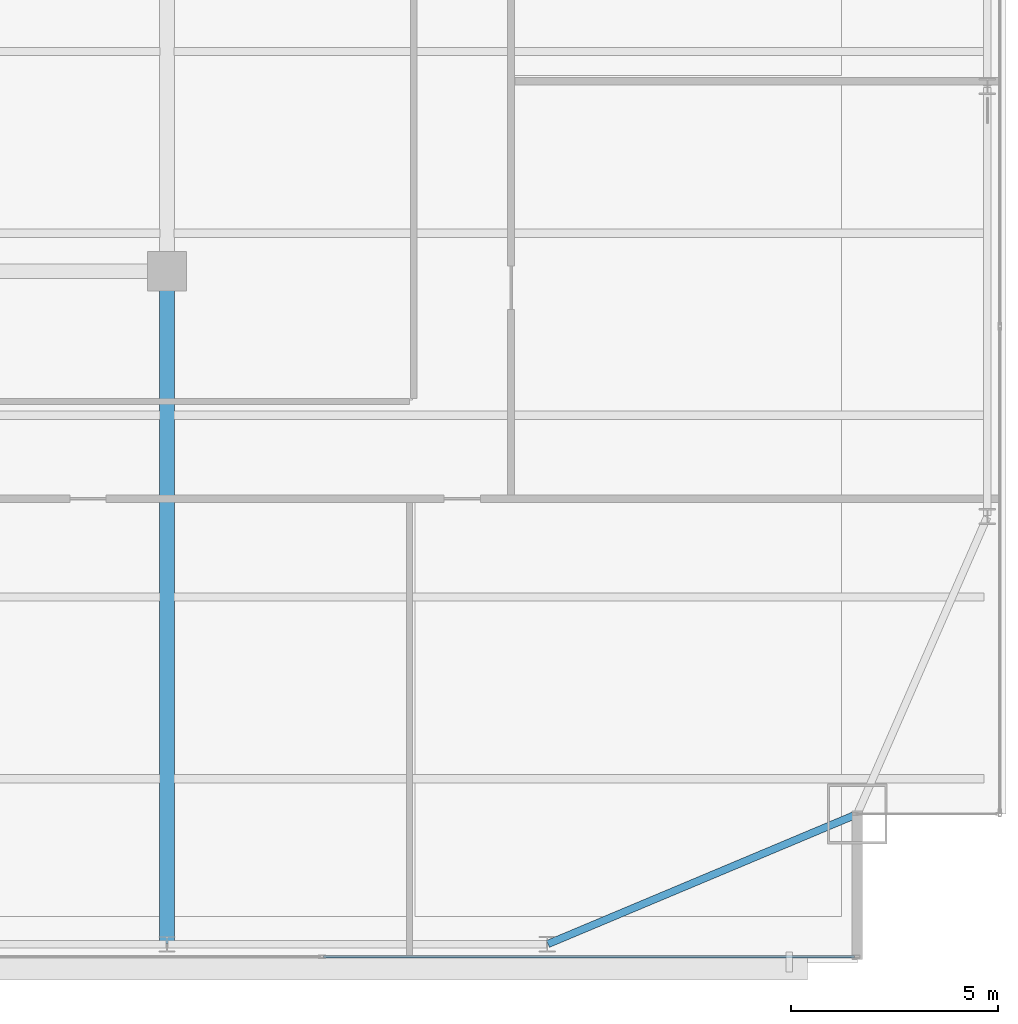
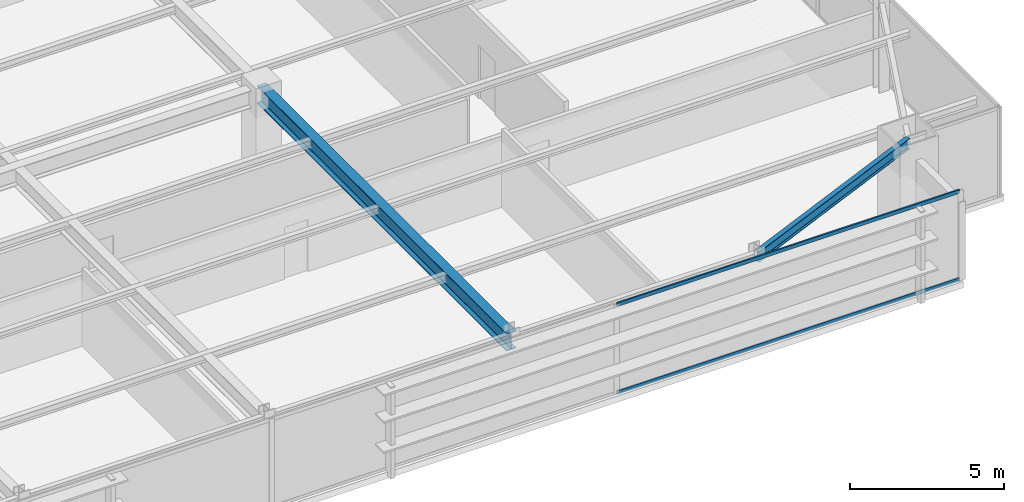
# One storey, part 13 of 33: 2 beams, 2 members, 1 element without a shape of its own.
"""IFC4 building model written with IfcOpenShell, lengths in metres."""

from ifc_helpers import new_model, si_unit, direction, frame, origin, origin_2d, place, context, subcontext, project, spatial, hollow_rectangle, i_section, extrude, source, transform, mapped, material, layer, layer_set, material_profile, profile_set, type_object, type_shapes, element, aggregate, save


model = new_model("IFC4")

# Units and contexts
model_context = context("Model", 3, precision=1e-05, world=origin(), true_north=direction((0.0, 1.0)))
body_context = subcontext(model_context, "Body", "Model", "MODEL_VIEW")
ifc_project = project(units=[si_unit("LENGTHUNIT", "METRE"), si_unit("AREAUNIT", "SQUARE_METRE"), si_unit("VOLUMEUNIT", "CUBIC_METRE"), si_unit("PLANEANGLEUNIT", "RADIAN"), si_unit("MASSUNIT", "GRAM", prefix="KILO")], contexts=[model_context])

# Site, building, storey
site_placement = place(None, origin())
site = spatial("IfcSite", under=ifc_project, at=site_placement, CompositionType="ELEMENT")
building_placement = place(site_placement, origin())
building = spatial("IfcBuilding", under=site, at=building_placement, Name="Varnel Quay Broadcast Tower", CompositionType="ELEMENT")
storey_placement = place(building_placement, frame((0.0, 0.0, 129.60009765625)))
storey = spatial("IfcBuildingStorey", under=building, at=storey_placement, Name="L31", CompositionType="ELEMENT", Elevation=129.60009765625)

# Beams
ifc_material_1 = material(Name="Structural Steel CSA G40.21 350W", Category="steel")
ifc_material_profile_1 = material_profile(ifc_material_1, i_section(OverallWidth=0.180908203125, OverallDepth=0.4169921875, WebThickness=0.010986328125, FlangeThickness=0.018310546875, FilletRadius=0.011962890625, at=origin_2d()), Name="W410X85")
ifc_profile_set_1 = profile_set([ifc_material_profile_1], Name="Structural Steel CSA G40.21 350W")
beam_type_1 = type_object("IfcBeamType", Name="Beam_W410X85", PredefinedType="SPANDREL", material=ifc_profile_set_1)
shared_shape_1 = source(origin(), body_context, "Body", "SweptSolid", [
    extrude(i_section(OverallWidth=0.180908203125, OverallDepth=0.4169921875, WebThickness=0.010986328125, FlangeThickness=0.018310546875, FilletRadius=0.011962890625, at=origin_2d()), origin(), (0.0, 0.0, 1.0), 8.0947265625),
])
type_shapes(beam_type_1, [shared_shape_1])
beam_1_placement = place(storey_placement, frame((52.41845703125, 4.65771484375, 3.34130859375), z_axis=(0.921981890247, 0.387232997117, 0.0), x_axis=(-0.387232997117, 0.921981890247, 0.0)))
element("IfcBeam", 1, at=beam_1_placement, inside=storey, type_object=beam_type_1, Name="L31 South Spandrel TC-S5-MC-SE", PredefinedType="SPANDREL", context=body_context, shape_type="MappedRepresentation", body=[
    mapped(shared_shape_1, transform((0.0, 0.0, 0.0), x_axis=(1.0, 0.0, 0.0), y_axis=(0.0, 1.0, 0.0), z_axis=(0.0, 0.0, 1.0), scale=1.0)),
])
ifc_material_profile_2 = material_profile(ifc_material_1, i_section(OverallWidth=0.35498046875, OverallDepth=0.695068359375, WebThickness=0.015380859375, FlangeThickness=0.02490234375, FilletRadius=0.01806640625, at=origin_2d()), Name="W690X217")
ifc_profile_set_2 = profile_set([ifc_material_profile_2], Name="Structural Steel CSA G40.21 350W")
beam_type_2 = type_object("IfcBeamType", Name="Girder_W690X217", PredefinedType="BEAM", material=ifc_profile_set_2)
shared_shape_2 = source(origin(), body_context, "Body", "SweptSolid", [
    extrude(i_section(OverallWidth=0.35498046875, OverallDepth=0.695068359375, WebThickness=0.015380859375, FlangeThickness=0.02490234375, FilletRadius=0.01806640625, at=origin_2d()), origin(), (0.0, 0.0, 1.0), 16.239990234375),
])
type_shapes(beam_type_2, [shared_shape_2])
beam_2_placement = place(storey_placement, frame((43.199951171875, 4.669921875, 3.202392578125), z_axis=(0.0, 1.0, 0.0), x_axis=(-1.0, 0.0, 0.0)))
element("IfcBeam", 2, at=beam_2_placement, inside=storey, type_object=beam_type_2, Name="L31 Primary Girder TC-S4-IC-02", PredefinedType="BEAM", context=body_context, shape_type="MappedRepresentation", body=[
    mapped(shared_shape_2, transform((0.0, 0.0, 0.0), x_axis=(1.0, 0.0, 0.0), y_axis=(0.0, 1.0, 0.0), z_axis=(0.0, 0.0, 1.0), scale=1.0)),
])

# Curtain wall, members
ifc_material_2 = material(Name="Anodised Bronze Aluminium 6063-T6", Category="aluminium")
ifc_layer = layer(ifc_material_2, 0.18994140625, Name="Anodised Bronze Aluminium 6063-T6")
ifc_layer_set = layer_set([ifc_layer], Name="Anodised Bronze Aluminium 6063-T6")
curtain_wall_type = type_object("IfcCurtainWallType", Name="CW_LowerTower", PredefinedType="NOTDEFINED", material=ifc_layer_set)
curtain_wall_placement = place(storey_placement, origin())
curtain_wall = element("IfcCurtainWall", 3, at=curtain_wall_placement, inside=storey, type_object=curtain_wall_type, Name="L31 South Unitised Curtain Wall 1", PredefinedType="NOTDEFINED")
ifc_material_profile_3 = material_profile(ifc_material_2, hollow_rectangle(XDim=0.06005859375, YDim=0.14501953125, WallThickness=0.00341796875, at=origin_2d()), Name="ALU60X145X3.5")
ifc_profile_set_3 = profile_set([ifc_material_profile_3], Name="Anodised Bronze Aluminium 6063-T6")
member_type = type_object("IfcMemberType", Name="Tran_CWS-02", PredefinedType="USERDEFINED", material=ifc_profile_set_3)
shared_shape_3 = source(origin(), body_context, "Body", "SweptSolid", [
    extrude(hollow_rectangle(XDim=0.06005859375, YDim=0.14501953125, WallThickness=0.00341796875, at=origin_2d()), origin(), (0.0, 0.0, 1.0), 12.844970703125),
])
type_shapes(member_type, [shared_shape_3])
member_1_placement = place(storey_placement, frame((46.985107421875, 4.35009765625, 0.02978515625), z_axis=(1.0, 0.0, 0.0), x_axis=(0.0, 1.0, 0.0)))
member_1 = element("IfcMember", 4, at=member_1_placement, type_object=member_type, Name="CWS-02 transom 4.1", ObjectType="TRANSOM", PredefinedType="USERDEFINED", context=body_context, shape_type="MappedRepresentation", body=[
    mapped(shared_shape_3, transform((0.0, 0.0, 0.0), x_axis=(1.0, 0.0, 0.0), y_axis=(0.0, 1.0, 0.0), z_axis=(0.0, 0.0, 1.0), scale=1.0)),
])
member_2_placement = place(storey_placement, frame((46.985107421875, 4.35009765625, 3.52001953125), z_axis=(1.0, 0.0, 0.0), x_axis=(0.0, 1.0, 0.0)))
member_2 = element("IfcMember", 5, at=member_2_placement, type_object=member_type, Name="CWS-02 transom 4.2", ObjectType="TRANSOM", PredefinedType="USERDEFINED", context=body_context, shape_type="MappedRepresentation", body=[
    mapped(shared_shape_3, transform((0.0, 0.0, 0.0), x_axis=(1.0, 0.0, 0.0), y_axis=(0.0, 1.0, 0.0), z_axis=(0.0, 0.0, 1.0), scale=1.0)),
])
aggregate(curtain_wall, [member_1, member_2])

save(model, "model.ifc")
